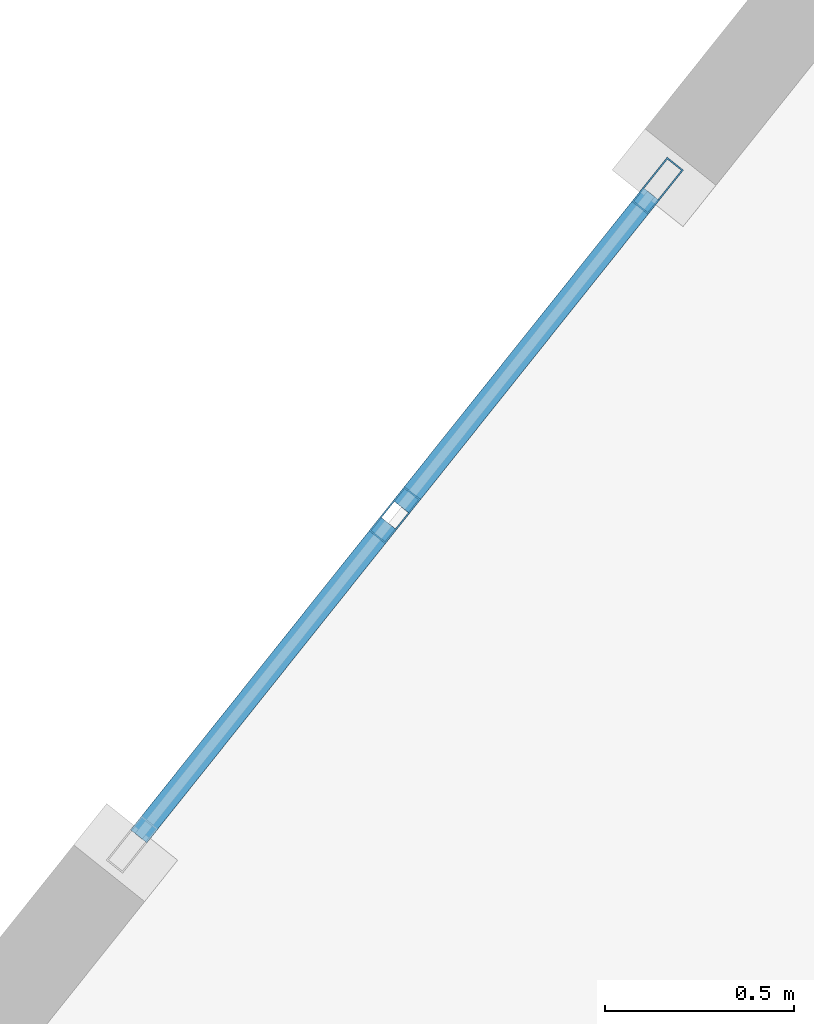
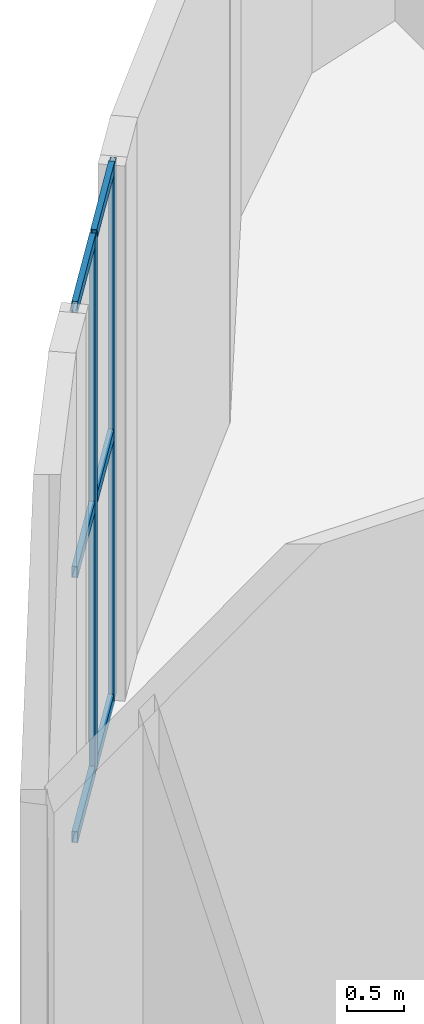
# One storey, part 7 of 11: 8 members, 1 element without a shape of its own.
"""IFC4 building model written with IfcOpenShell, lengths in metres."""

from ifc_helpers import new_model, si_unit, direction, frame, origin, origin_2d, place, context, subcontext, project, spatial, hollow_rectangle, extrude, material, layer, layer_set, material_profile, profile_set, type_object, element, aggregate, save


model = new_model("IFC4")

# Units and contexts
model_context = context("Model", 3, precision=1e-05, world=origin(), true_north=direction((0.0, 1.0)))
body_context = subcontext(model_context, "Body", "Model", "MODEL_VIEW")
ifc_project = project(units=[si_unit("LENGTHUNIT", "METRE"), si_unit("AREAUNIT", "SQUARE_METRE"), si_unit("VOLUMEUNIT", "CUBIC_METRE"), si_unit("PLANEANGLEUNIT", "RADIAN"), si_unit("MASSUNIT", "GRAM", prefix="KILO")], contexts=[model_context])

# Site, building, storey
site_placement = place(None, origin())
site = spatial("IfcSite", under=ifc_project, at=site_placement, CompositionType="ELEMENT")
building_placement = place(site_placement, origin())
building = spatial("IfcBuilding", under=site, at=building_placement, Name="Miruveldt Soraemaru", CompositionType="ELEMENT")
storey_placement = place(building_placement, frame((0.0, 0.0, 300.800048828125)))
storey = spatial("IfcBuildingStorey", under=building, at=storey_placement, Name="L80", CompositionType="ELEMENT", Elevation=300.800048828125)

# Curtain wall, members
ifc_material = material(Name="Anodised aluminium EN AW-6063 T6", Category="aluminium")
ifc_layer = layer(ifc_material, 0.14990234375, Name="Anodised aluminium EN AW-6063 T6", Category="aluminium")
ifc_layer_set = layer_set([ifc_layer], Name="Anodised aluminium EN AW-6063 T6")
curtain_wall_type = type_object("IfcCurtainWallType", Name="CW-SYS-6", PredefinedType="USERDEFINED", material=ifc_layer_set)
curtain_wall_placement = place(storey_placement, origin())
curtain_wall = element("IfcCurtainWall", 1, at=curtain_wall_placement, inside=storey, type_object=curtain_wall_type, Name="L80 Curtain Wall Bay 8", ObjectType="UNITISED GLAZING", PredefinedType="USERDEFINED")
ifc_material_profile_1 = material_profile(ifc_material, hollow_rectangle(XDim=0.054931640625, YDim=0.14990234375, WallThickness=0.00390625, at=origin_2d()), Name="Anodised aluminium EN AW-6063 T6", Category="aluminium")
ifc_profile_set_1 = profile_set([ifc_material_profile_1], Name="Anodised aluminium EN AW-6063 T6")
member_type_1 = type_object("IfcMemberType", Name="CWM-6", PredefinedType="MULLION", material=ifc_profile_set_1)
member_1_placement = place(storey_placement, frame((36.101806640625, 59.8837890625, 0.0), z_axis=(0.0, 0.0, 1.0), x_axis=(0.781722356482, -0.623626616956, 0.0)))
member_1 = element("IfcMember", 2, at=member_1_placement, type_object=member_type_1, Name="CW-6 mullion 1", PredefinedType="MULLION", context=body_context, shape_type="SweptSolid", body=[
    extrude(hollow_rectangle(XDim=0.054931640625, YDim=0.14990234375, WallThickness=0.00390625, at=origin_2d()), origin(), (0.0, 0.0, 1.0), 5.739990234375),
])
member_2_placement = place(storey_placement, frame((35.40673828125, 59.012451171875, 0.0), z_axis=(0.0, 0.0, 1.0), x_axis=(0.781722356482, -0.623626616956, 0.0)))
member_2 = element("IfcMember", 3, at=member_2_placement, type_object=member_type_1, Name="CW-6 mullion 2", PredefinedType="MULLION", context=body_context, shape_type="SweptSolid", body=[
    extrude(hollow_rectangle(XDim=0.054931640625, YDim=0.14990234375, WallThickness=0.00390625, at=origin_2d()), origin(), (0.0, 0.0, 1.0), 5.739990234375),
])
ifc_material_profile_2 = material_profile(ifc_material, hollow_rectangle(XDim=0.054931640625, YDim=0.1201171875, WallThickness=0.00390625, at=origin_2d()), Name="Anodised aluminium EN AW-6063 T6", Category="aluminium")
ifc_profile_set_2 = profile_set([ifc_material_profile_2], Name="Anodised aluminium EN AW-6063 T6")
member_type_2 = type_object("IfcMemberType", Name="CWT-6", PredefinedType="USERDEFINED", material=ifc_profile_set_2)
member_3_placement = place(storey_placement, frame((36.084716796875, 59.8623046875, 0.02734375), z_axis=(-0.623654947327, -0.781699754813, 0.0), x_axis=(0.781699754813, -0.623654947327, 0.0)))
member_3 = element("IfcMember", 4, at=member_3_placement, type_object=member_type_2, Name="CW-6 transom 1.1", ObjectType="TRANSOM", PredefinedType="USERDEFINED", context=body_context, shape_type="SweptSolid", body=[
    extrude(hollow_rectangle(XDim=0.054931640625, YDim=0.1201171875, WallThickness=0.00390625, at=origin_2d()), origin(), (0.0, 0.0, 1.0), 1.059814453125),
])
member_4_placement = place(storey_placement, frame((36.084716796875, 59.8623046875, 2.869873046875), z_axis=(-0.623654947327, -0.781699754813, 0.0), x_axis=(0.781699754813, -0.623654947327, 0.0)))
member_4 = element("IfcMember", 5, at=member_4_placement, type_object=member_type_2, Name="CW-6 transom 1.2", ObjectType="TRANSOM", PredefinedType="USERDEFINED", context=body_context, shape_type="SweptSolid", body=[
    extrude(hollow_rectangle(XDim=0.054931640625, YDim=0.1201171875, WallThickness=0.00390625, at=origin_2d()), origin(), (0.0, 0.0, 1.0), 1.059814453125),
])
member_5_placement = place(storey_placement, frame((36.084716796875, 59.8623046875, 5.71240234375), z_axis=(-0.623654947327, -0.781699754813, 0.0), x_axis=(0.781699754813, -0.623654947327, 0.0)))
member_5 = element("IfcMember", 6, at=member_5_placement, type_object=member_type_2, Name="CW-6 transom 1.3", ObjectType="TRANSOM", PredefinedType="USERDEFINED", context=body_context, shape_type="SweptSolid", body=[
    extrude(hollow_rectangle(XDim=0.054931640625, YDim=0.1201171875, WallThickness=0.00390625, at=origin_2d()), origin(), (0.0, 0.0, 1.0), 1.059814453125),
])
member_6_placement = place(storey_placement, frame((35.3896484375, 58.990966796875, 0.02734375), z_axis=(-0.623514138568, -0.78181207397, 0.0), x_axis=(0.78181207397, -0.623514138568, 0.0)))
member_6 = element("IfcMember", 7, at=member_6_placement, type_object=member_type_2, Name="CW-6 transom 2.1", ObjectType="TRANSOM", PredefinedType="USERDEFINED", context=body_context, shape_type="SweptSolid", body=[
    extrude(hollow_rectangle(XDim=0.054931640625, YDim=0.1201171875, WallThickness=0.00390625, at=origin_2d()), origin(), (0.0, 0.0, 1.0), 1.0595703125),
])
member_7_placement = place(storey_placement, frame((35.3896484375, 58.990966796875, 2.869873046875), z_axis=(-0.623514138568, -0.78181207397, 0.0), x_axis=(0.78181207397, -0.623514138568, 0.0)))
member_7 = element("IfcMember", 8, at=member_7_placement, type_object=member_type_2, Name="CW-6 transom 2.2", ObjectType="TRANSOM", PredefinedType="USERDEFINED", context=body_context, shape_type="SweptSolid", body=[
    extrude(hollow_rectangle(XDim=0.054931640625, YDim=0.1201171875, WallThickness=0.00390625, at=origin_2d()), origin(), (0.0, 0.0, 1.0), 1.0595703125),
])
member_8_placement = place(storey_placement, frame((35.3896484375, 58.990966796875, 5.71240234375), z_axis=(-0.623514138568, -0.78181207397, 0.0), x_axis=(0.78181207397, -0.623514138568, 0.0)))
member_8 = element("IfcMember", 9, at=member_8_placement, type_object=member_type_2, Name="CW-6 transom 2.3", ObjectType="TRANSOM", PredefinedType="USERDEFINED", context=body_context, shape_type="SweptSolid", body=[
    extrude(hollow_rectangle(XDim=0.054931640625, YDim=0.1201171875, WallThickness=0.00390625, at=origin_2d()), origin(), (0.0, 0.0, 1.0), 1.0595703125),
])
aggregate(curtain_wall, [member_1, member_2, member_3, member_4, member_5, member_6, member_7, member_8])

save(model, "model.ifc")
